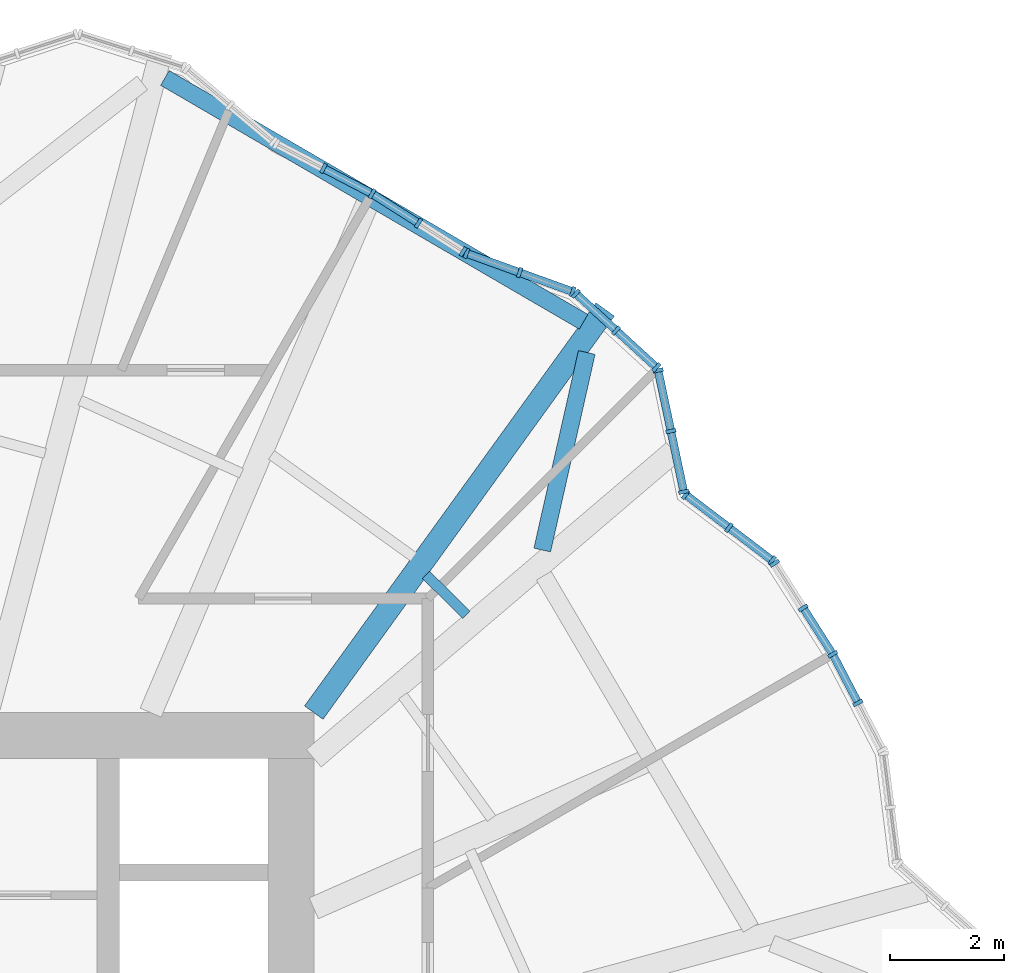
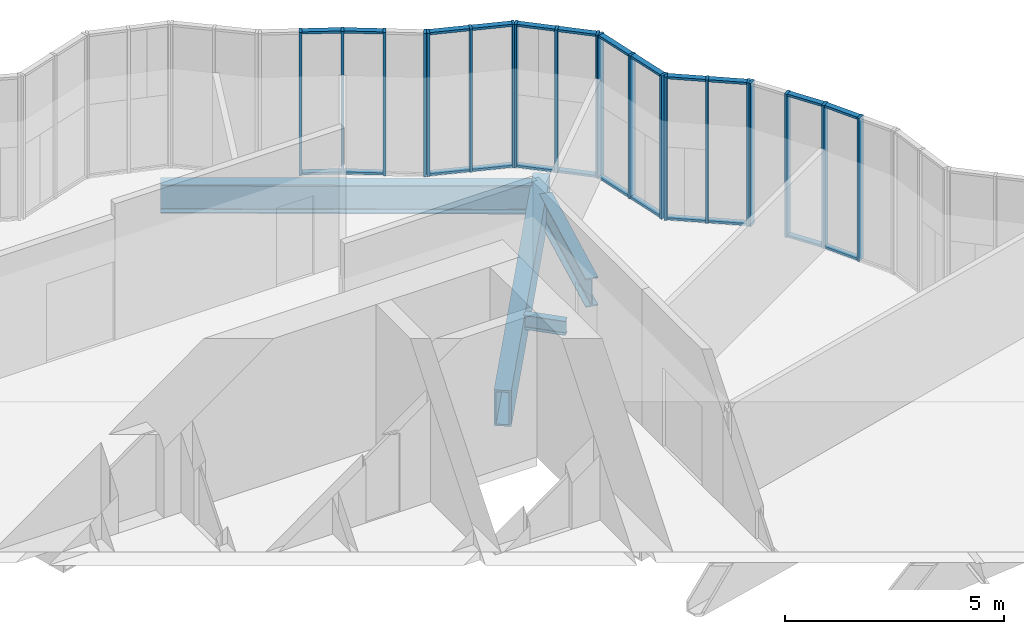
# One storey, part 9 of 23: 44 members, 4 beams, 8 elements without a shape of their own.
"""IFC4 building model written with IfcOpenShell, lengths in metres."""

from ifc_helpers import new_model, si_unit, direction, frame, origin, origin_2d, place, context, subcontext, project, spatial, rectangle, hollow_rectangle, i_section, extrude, material, material_profile, profile_set, type_object, element, aggregate, save


model = new_model("IFC4")

# Units and contexts
model_context = context("Model", 3, precision=1e-05, world=origin(), true_north=direction((0.0, 1.0)))
body_context = subcontext(model_context, "Body", "Model", "MODEL_VIEW")
ifc_project = project(units=[si_unit("LENGTHUNIT", "METRE"), si_unit("AREAUNIT", "SQUARE_METRE"), si_unit("VOLUMEUNIT", "CUBIC_METRE"), si_unit("PLANEANGLEUNIT", "RADIAN"), si_unit("MASSUNIT", "GRAM", prefix="KILO")], contexts=[model_context])

# Site, building, storey
site_placement = place(None, origin())
site = spatial("IfcSite", under=ifc_project, at=site_placement, CompositionType="ELEMENT")
building_placement = place(site_placement, origin())
building = spatial("IfcBuilding", under=site, at=building_placement, Name="Golbaran Civic Tower", CompositionType="ELEMENT")
storey_placement = place(building_placement, frame((0.0, 0.0, 33.0)))
storey = spatial("IfcBuildingStorey", under=building, at=storey_placement, Name="L07", CompositionType="ELEMENT", Elevation=33.0)

# Beams
ifc_material_1 = material(Name="Steel S355", Category="steel")
ifc_material_profile_1 = material_profile(ifc_material_1, i_section(OverallWidth=0.300048828125, OverallDepth=0.800048828125, WebThickness=0.017578125, FlangeThickness=0.032958984375, FilletRadius=0.030029296875, at=origin_2d()), Name="HEB 800")
ifc_profile_set_1 = profile_set([ifc_material_profile_1], Name="Steel S355")
beam_type_1 = type_object("IfcBeamType", Name="EDGE BEAM HEB 800", PredefinedType="BEAM", material=ifc_profile_set_1)
beam_1_placement = place(storey_placement, frame((14.0029296875, 12.848388671875, -0.60009765625), z_axis=(0.219887083462, 0.975525330541, 0.0), x_axis=(-0.975525330541, 0.219887083462, 0.0)))
element("IfcBeam", 1, at=beam_1_placement, inside=storey, type_object=beam_type_1, Name="Edge beam 41.74 L07", PredefinedType="BEAM", context=body_context, shape_type="SweptSolid", body=[
    extrude(i_section(OverallWidth=0.300048828125, OverallDepth=0.800048828125, WebThickness=0.017578125, FlangeThickness=0.032958984375, FilletRadius=0.030029296875, at=origin_2d()), origin(), (0.0, 0.0, 1.0), 3.548583984375),
])
beam_2_placement = place(storey_placement, frame((14.7275390625, 16.847412109375, -0.60009765625), z_axis=(-0.864129155703, 0.503270108653, 0.0), x_axis=(-0.503270108653, -0.864129155703, 0.0)))
element("IfcBeam", 2, at=beam_2_placement, inside=storey, type_object=beam_type_1, Name="Edge beam 48.64 L07", PredefinedType="BEAM", context=body_context, shape_type="SweptSolid", body=[
    extrude(i_section(OverallWidth=0.300048828125, OverallDepth=0.800048828125, WebThickness=0.017578125, FlangeThickness=0.032958984375, FilletRadius=0.030029296875, at=origin_2d()), origin(), (0.0, 0.0, 1.0), 8.489501953125),
])
ifc_material_profile_2 = material_profile(ifc_material_1, i_section(OverallWidth=0.179931640625, OverallDepth=0.39990234375, WebThickness=0.008544921875, FlangeThickness=0.013427734375, FilletRadius=0.02099609375, at=origin_2d()), Name="IPE 400")
ifc_profile_set_2 = profile_set([ifc_material_profile_2], Name="Steel S355")
beam_type_2 = type_object("IfcBeamType", Name="FLOOR INFILL BEAM IPE 400", PredefinedType="BEAM", material=ifc_profile_set_2)
beam_3_placement = place(storey_placement, frame((12.671630859375, 11.713623046875, -0.39990234375), z_axis=(-0.70943741161, 0.704768443539, 0.0), x_axis=(-0.704768443539, -0.70943741161, 0.0)))
element("IfcBeam", 3, at=beam_3_placement, inside=storey, type_object=beam_type_2, Name="Infill beam 45.19 L07", PredefinedType="BEAM", context=body_context, shape_type="SweptSolid", body=[
    extrude(i_section(OverallWidth=0.179931640625, OverallDepth=0.39990234375, WebThickness=0.008544921875, FlangeThickness=0.013427734375, FilletRadius=0.02099609375, at=origin_2d()), origin(), (0.0, 0.0, 1.0), 0.993408203125),
])

# Curtain wall, members
ifc_material_2 = material(Name="Aluminium and glass", Category="aluminium")
curtain_wall_type = type_object("IfcCurtainWallType", Name="INNER SKIN CURTAIN WALL", PredefinedType="NOTDEFINED", material=ifc_material_2)
curtain_wall_1_placement = place(storey_placement, origin())
curtain_wall_1 = element("IfcCurtainWall", 4, at=curtain_wall_1_placement, inside=storey, type_object=curtain_wall_type, Name="Inner skin L07 facet 6 CW1", ObjectType="INNER SKIN", PredefinedType="USERDEFINED")
ifc_material_3 = material(Name="Aluminium", Category="aluminium")
ifc_material_profile_3 = material_profile(ifc_material_3, rectangle(XDim=0.179931640625, YDim=0.06494140625, at=origin_2d()), Name="INNER SKIN CURTAIN WALL MULLION")
ifc_profile_set_3 = profile_set([ifc_material_profile_3], Name="Aluminium")
member_type_1 = type_object("IfcMemberType", Name="INNER SKIN CURTAIN WALL MULLION", PredefinedType="MULLION", material=ifc_profile_set_3)
member_1_placement = place(storey_placement, frame((19.53564453125, 10.169677734375, 0.0), z_axis=(0.0, 0.0, 1.0), x_axis=(-0.887010833146, -0.461748613297, 0.0)))
member_1 = element("IfcMember", 5, at=member_1_placement, type_object=member_type_1, Name="CW1 mullion 2", PredefinedType="MULLION", context=body_context, shape_type="SweptSolid", body=[
    extrude(rectangle(XDim=0.179931640625, YDim=0.06494140625, at=origin_2d()), origin(), (0.0, 0.0, 1.0), 4.0),
])
member_2_placement = place(storey_placement, frame((19.091552734375, 11.0224609375, 0.0), z_axis=(0.0, 0.0, 1.0), x_axis=(-0.866025403811, -0.499999999955, 0.0)))
member_2 = element("IfcMember", 6, at=member_2_placement, type_object=member_type_1, Name="CW1 mullion 3", PredefinedType="MULLION", context=body_context, shape_type="SweptSolid", body=[
    extrude(rectangle(XDim=0.179931640625, YDim=0.06494140625, at=origin_2d()), origin(), (0.0, 0.0, 1.0), 4.0),
])

curtain_wall_2_placement = place(storey_placement, origin())
curtain_wall_2 = element("IfcCurtainWall", 7, at=curtain_wall_2_placement, inside=storey, type_object=curtain_wall_type, Name="Inner skin L07 facet 7 CW1", ObjectType="INNER SKIN", PredefinedType="USERDEFINED")
member_3_placement = place(storey_placement, frame((18.574951171875, 11.83349609375, 0.0), z_axis=(0.0, 0.0, 1.0), x_axis=(-0.843391445775, -0.537299608406, 0.0)))
member_3 = element("IfcMember", 8, at=member_3_placement, type_object=member_type_1, Name="CW1 mullion 2", PredefinedType="MULLION", context=body_context, shape_type="SweptSolid", body=[
    extrude(rectangle(XDim=0.179931640625, YDim=0.06494140625, at=origin_2d()), origin(), (0.0, 0.0, 1.0), 4.0),
])
member_4_placement = place(storey_placement, frame((18.07568359375, 12.6171875, 0.0), z_axis=(0.0, 0.0, 1.0), x_axis=(-0.843391445775, -0.537299608406, 0.0)))
member_4 = element("IfcMember", 9, at=member_4_placement, type_object=member_type_1, Name="CW1 mullion 3", PredefinedType="MULLION", context=body_context, shape_type="SweptSolid", body=[
    extrude(rectangle(XDim=0.179931640625, YDim=0.06494140625, at=origin_2d()), origin(), (0.0, 0.0, 1.0), 4.0),
])

curtain_wall_3_placement = place(storey_placement, origin())
curtain_wall_3 = element("IfcCurtainWall", 10, at=curtain_wall_3_placement, inside=storey, type_object=curtain_wall_type, Name="Inner skin L07 facet 8 CW1", ObjectType="INNER SKIN", PredefinedType="USERDEFINED")
member_5_placement = place(storey_placement, frame((18.0322265625, 12.6640625, 0.0), z_axis=(0.0, 0.0, 1.0), x_axis=(-0.605153926324, -0.796108488496, 0.0)))
member_5 = element("IfcMember", 11, at=member_5_placement, type_object=member_type_1, Name="CW1 mullion 1", PredefinedType="MULLION", context=body_context, shape_type="SweptSolid", body=[
    extrude(rectangle(XDim=0.179931640625, YDim=0.06494140625, at=origin_2d()), origin(), (0.0, 0.0, 1.0), 4.0),
])
member_6_placement = place(storey_placement, frame((17.27392578125, 13.240478515625, 0.0), z_axis=(0.0, 0.0, 1.0), x_axis=(-0.605153926324, -0.796108488496, 0.0)))
member_6 = element("IfcMember", 12, at=member_6_placement, type_object=member_type_1, Name="CW1 mullion 2", PredefinedType="MULLION", context=body_context, shape_type="SweptSolid", body=[
    extrude(rectangle(XDim=0.179931640625, YDim=0.06494140625, at=origin_2d()), origin(), (0.0, 0.0, 1.0), 4.0),
])
member_7_placement = place(storey_placement, frame((16.515625, 13.81689453125, 0.0), z_axis=(0.0, 0.0, 1.0), x_axis=(-0.605153926324, -0.796108488496, 0.0)))
member_7 = element("IfcMember", 13, at=member_7_placement, type_object=member_type_1, Name="CW1 mullion 3", PredefinedType="MULLION", context=body_context, shape_type="SweptSolid", body=[
    extrude(rectangle(XDim=0.179931640625, YDim=0.06494140625, at=origin_2d()), origin(), (0.0, 0.0, 1.0), 4.0),
])

curtain_wall_4_placement = place(storey_placement, origin())
curtain_wall_4 = element("IfcCurtainWall", 14, at=curtain_wall_4_placement, inside=storey, type_object=curtain_wall_type, Name="Inner skin L07 facet 9 CW1", ObjectType="INNER SKIN", PredefinedType="USERDEFINED")
member_8_placement = place(storey_placement, frame((16.483154296875, 13.868408203125, 0.0), z_axis=(0.0, 0.0, 1.0), x_axis=(-0.978345790501, -0.206977086194, 0.0)))
member_8 = element("IfcMember", 15, at=member_8_placement, type_object=member_type_1, Name="CW1 mullion 1", PredefinedType="MULLION", context=body_context, shape_type="SweptSolid", body=[
    extrude(rectangle(XDim=0.179931640625, YDim=0.06494140625, at=origin_2d()), origin(), (0.0, 0.0, 1.0), 4.0),
])
member_9_placement = place(storey_placement, frame((16.25830078125, 14.931640625, 0.0), z_axis=(0.0, 0.0, 1.0), x_axis=(-0.978345790501, -0.206977086194, 0.0)))
member_9 = element("IfcMember", 16, at=member_9_placement, type_object=member_type_1, Name="CW1 mullion 2", PredefinedType="MULLION", context=body_context, shape_type="SweptSolid", body=[
    extrude(rectangle(XDim=0.179931640625, YDim=0.06494140625, at=origin_2d()), origin(), (0.0, 0.0, 1.0), 4.0),
])
member_10_placement = place(storey_placement, frame((16.033203125, 15.994873046875, 0.0), z_axis=(0.0, 0.0, 1.0), x_axis=(-0.978345790501, -0.206977086194, 0.0)))
member_10 = element("IfcMember", 17, at=member_10_placement, type_object=member_type_1, Name="CW1 mullion 3", PredefinedType="MULLION", context=body_context, shape_type="SweptSolid", body=[
    extrude(rectangle(XDim=0.179931640625, YDim=0.06494140625, at=origin_2d()), origin(), (0.0, 0.0, 1.0), 4.0),
])

curtain_wall_5_placement = place(storey_placement, origin())
curtain_wall_5 = element("IfcCurtainWall", 18, at=curtain_wall_5_placement, inside=storey, type_object=curtain_wall_type, Name="Inner skin L07 facet 10 CW1", ObjectType="INNER SKIN", PredefinedType="USERDEFINED")
member_11_placement = place(storey_placement, frame((16.002685546875, 16.048583984375, 0.0), z_axis=(0.0, 0.0, 1.0), x_axis=(-0.675590207436, -0.737277336975, 0.0)))
member_11 = element("IfcMember", 19, at=member_11_placement, type_object=member_type_1, Name="CW1 mullion 1", PredefinedType="MULLION", context=body_context, shape_type="SweptSolid", body=[
    extrude(rectangle(XDim=0.179931640625, YDim=0.06494140625, at=origin_2d()), origin(), (0.0, 0.0, 1.0), 4.0),
])
member_12_placement = place(storey_placement, frame((15.297607421875, 16.694580078125, 0.0), z_axis=(0.0, 0.0, 1.0), x_axis=(-0.675590207436, -0.737277336975, 0.0)))
member_12 = element("IfcMember", 20, at=member_12_placement, type_object=member_type_1, Name="CW1 mullion 2", PredefinedType="MULLION", context=body_context, shape_type="SweptSolid", body=[
    extrude(rectangle(XDim=0.179931640625, YDim=0.06494140625, at=origin_2d()), origin(), (0.0, 0.0, 1.0), 4.0),
])
member_13_placement = place(storey_placement, frame((14.5927734375, 17.34033203125, 0.0), z_axis=(0.0, 0.0, 1.0), x_axis=(-0.675590207436, -0.737277336975, 0.0)))
member_13 = element("IfcMember", 21, at=member_13_placement, type_object=member_type_1, Name="CW1 mullion 3", PredefinedType="MULLION", context=body_context, shape_type="SweptSolid", body=[
    extrude(rectangle(XDim=0.179931640625, YDim=0.06494140625, at=origin_2d()), origin(), (0.0, 0.0, 1.0), 4.0),
])

curtain_wall_6_placement = place(storey_placement, origin())
curtain_wall_6 = element("IfcCurtainWall", 22, at=curtain_wall_6_placement, inside=storey, type_object=curtain_wall_type, Name="Inner skin L07 facet 11 CW1", ObjectType="INNER SKIN", PredefinedType="USERDEFINED")
member_14_placement = place(storey_placement, frame((14.538330078125, 17.37353515625, 0.0), z_axis=(0.0, 0.0, 1.0), x_axis=(-0.340045420228, -0.940409013239, 0.0)))
member_14 = element("IfcMember", 23, at=member_14_placement, type_object=member_type_1, Name="CW1 mullion 1", PredefinedType="MULLION", context=body_context, shape_type="SweptSolid", body=[
    extrude(rectangle(XDim=0.179931640625, YDim=0.06494140625, at=origin_2d()), origin(), (0.0, 0.0, 1.0), 4.0),
])
member_15_placement = place(storey_placement, frame((13.606689453125, 17.710205078125, 0.0), z_axis=(0.0, 0.0, 1.0), x_axis=(-0.340045420228, -0.940409013239, 0.0)))
member_15 = element("IfcMember", 24, at=member_15_placement, type_object=member_type_1, Name="CW1 mullion 2", PredefinedType="MULLION", context=body_context, shape_type="SweptSolid", body=[
    extrude(rectangle(XDim=0.179931640625, YDim=0.06494140625, at=origin_2d()), origin(), (0.0, 0.0, 1.0), 4.0),
])
member_16_placement = place(storey_placement, frame((12.675048828125, 18.047119140625, 0.0), z_axis=(0.0, 0.0, 1.0), x_axis=(-0.340045420228, -0.940409013239, 0.0)))
member_16 = element("IfcMember", 25, at=member_16_placement, type_object=member_type_1, Name="CW1 mullion 3", PredefinedType="MULLION", context=body_context, shape_type="SweptSolid", body=[
    extrude(rectangle(XDim=0.179931640625, YDim=0.06494140625, at=origin_2d()), origin(), (0.0, 0.0, 1.0), 4.0),
])

curtain_wall_7_placement = place(storey_placement, origin())
curtain_wall_7 = element("IfcCurtainWall", 26, at=curtain_wall_7_placement, inside=storey, type_object=curtain_wall_type, Name="Inner skin L07 facet 12 CW1", ObjectType="INNER SKIN", PredefinedType="USERDEFINED")
member_17_placement = place(storey_placement, frame((12.6171875, 18.07568359375, 0.0), z_axis=(0.0, 0.0, 1.0), x_axis=(-0.537299608406, -0.843391445775, 0.0)))
member_17 = element("IfcMember", 27, at=member_17_placement, type_object=member_type_1, Name="CW1 mullion 1", PredefinedType="MULLION", context=body_context, shape_type="SweptSolid", body=[
    extrude(rectangle(XDim=0.179931640625, YDim=0.06494140625, at=origin_2d()), origin(), (0.0, 0.0, 1.0), 4.0),
])
member_18_placement = place(storey_placement, frame((11.83349609375, 18.574951171875, 0.0), z_axis=(0.0, 0.0, 1.0), x_axis=(-0.537299608406, -0.843391445775, 0.0)))
member_18 = element("IfcMember", 28, at=member_18_placement, type_object=member_type_1, Name="CW1 mullion 2", PredefinedType="MULLION", context=body_context, shape_type="SweptSolid", body=[
    extrude(rectangle(XDim=0.179931640625, YDim=0.06494140625, at=origin_2d()), origin(), (0.0, 0.0, 1.0), 4.0),
])
member_19_placement = place(storey_placement, frame((11.0224609375, 19.091552734375, 0.0), z_axis=(0.0, 0.0, 1.0), x_axis=(-0.500000000121, -0.866025403715, 0.0)))
member_19 = element("IfcMember", 29, at=member_19_placement, type_object=member_type_1, Name="CW1 mullion 3", PredefinedType="MULLION", context=body_context, shape_type="SweptSolid", body=[
    extrude(rectangle(XDim=0.179931640625, YDim=0.06494140625, at=origin_2d()), origin(), (0.0, 0.0, 1.0), 4.0),
])

# Curtain wall, member
curtain_wall_8_placement = place(storey_placement, origin())
curtain_wall_8 = element("IfcCurtainWall", 30, at=curtain_wall_8_placement, inside=storey, type_object=curtain_wall_type, Name="Inner skin L07 facet 13 CW1", ObjectType="INNER SKIN", PredefinedType="USERDEFINED")
member_20_placement = place(storey_placement, frame((10.169677734375, 19.53564453125, 0.0), z_axis=(0.0, 0.0, 1.0), x_axis=(-0.461748613297, -0.887010833146, 0.0)))
member_20 = element("IfcMember", 31, at=member_20_placement, type_object=member_type_1, Name="CW1 mullion 2", PredefinedType="MULLION", context=body_context, shape_type="SweptSolid", body=[
    extrude(rectangle(XDim=0.179931640625, YDim=0.06494140625, at=origin_2d()), origin(), (0.0, 0.0, 1.0), 4.0),
])

# Member
ifc_material_profile_4 = material_profile(ifc_material_3, rectangle(XDim=0.139892578125, YDim=0.06494140625, at=origin_2d()), Name="INNER SKIN CURTAIN WALL TRANSOM")
ifc_profile_set_4 = profile_set([ifc_material_profile_4], Name="Aluminium")
member_type_2 = type_object("IfcMemberType", Name="INNER SKIN CURTAIN WALL TRANSOM", PredefinedType="USERDEFINED", material=ifc_profile_set_4)
member_21_placement = place(storey_placement, frame((19.5205078125, 10.198486328125, 0.032470703125), z_axis=(-0.461858549969, 0.886953595077, 0.0), x_axis=(-0.886953595077, -0.461858549969, 0.0)))
member_21 = element("IfcMember", 32, at=member_21_placement, type_object=member_type_2, Name="CW1 transom 2.1", ObjectType="TRANSOM", PredefinedType="USERDEFINED", context=body_context, shape_type="SweptSolid", body=[
    extrude(rectangle(XDim=0.139892578125, YDim=0.06494140625, at=origin_2d()), origin(), (0.0, 0.0, 1.0), 0.896484375),
])

member_22_placement = place(storey_placement, frame((19.5205078125, 10.198486328125, 3.967529296875), z_axis=(-0.461858549969, 0.886953595077, 0.0), x_axis=(-0.886953595077, -0.461858549969, 0.0)))
member_22 = element("IfcMember", 33, at=member_22_placement, type_object=member_type_2, Name="CW1 transom 2.2", ObjectType="TRANSOM", PredefinedType="USERDEFINED", context=body_context, shape_type="SweptSolid", body=[
    extrude(rectangle(XDim=0.139892578125, YDim=0.06494140625, at=origin_2d()), origin(), (0.0, 0.0, 1.0), 0.896484375),
])

aggregate(curtain_wall_1, [member_1, member_2, member_21, member_22])

member_23_placement = place(storey_placement, frame((19.073974609375, 11.0498046875, 0.032470703125), z_axis=(-0.537174947693, 0.843470850457, 0.0), x_axis=(-0.843470850457, -0.537174947693, 0.0)))
member_23 = element("IfcMember", 34, at=member_23_placement, type_object=member_type_2, Name="CW1 transom 1.1", ObjectType="TRANSOM", PredefinedType="USERDEFINED", context=body_context, shape_type="SweptSolid", body=[
    extrude(rectangle(XDim=0.139892578125, YDim=0.06494140625, at=origin_2d()), origin(), (0.0, 0.0, 1.0), 0.896728515625),
])

member_24_placement = place(storey_placement, frame((19.073974609375, 11.0498046875, 3.967529296875), z_axis=(-0.537174947693, 0.843470850457, 0.0), x_axis=(-0.843470850457, -0.537174947693, 0.0)))
member_24 = element("IfcMember", 35, at=member_24_placement, type_object=member_type_2, Name="CW1 transom 1.2", ObjectType="TRANSOM", PredefinedType="USERDEFINED", context=body_context, shape_type="SweptSolid", body=[
    extrude(rectangle(XDim=0.139892578125, YDim=0.06494140625, at=origin_2d()), origin(), (0.0, 0.0, 1.0), 0.896728515625),
])

aggregate(curtain_wall_2, [member_3, member_4, member_23, member_24])

member_25_placement = place(storey_placement, frame((18.00634765625, 12.683837890625, 0.032470703125), z_axis=(-0.79608797731, 0.605180908805, 0.0), x_axis=(-0.605180908805, -0.79608797731, 0.0)))
member_25 = element("IfcMember", 36, at=member_25_placement, type_object=member_type_2, Name="CW1 transom 1.1", ObjectType="TRANSOM", PredefinedType="USERDEFINED", context=body_context, shape_type="SweptSolid", body=[
    extrude(rectangle(XDim=0.139892578125, YDim=0.06494140625, at=origin_2d()), origin(), (0.0, 0.0, 1.0), 0.887451171875),
])

member_26_placement = place(storey_placement, frame((18.00634765625, 12.683837890625, 3.967529296875), z_axis=(-0.79608797731, 0.605180908805, 0.0), x_axis=(-0.605180908805, -0.79608797731, 0.0)))
member_26 = element("IfcMember", 37, at=member_26_placement, type_object=member_type_2, Name="CW1 transom 1.2", ObjectType="TRANSOM", PredefinedType="USERDEFINED", context=body_context, shape_type="SweptSolid", body=[
    extrude(rectangle(XDim=0.139892578125, YDim=0.06494140625, at=origin_2d()), origin(), (0.0, 0.0, 1.0), 0.887451171875),
])

member_27_placement = place(storey_placement, frame((17.248046875, 13.26025390625, 0.032470703125), z_axis=(-0.79608797731, 0.605180908805, 0.0), x_axis=(-0.605180908805, -0.79608797731, 0.0)))
member_27 = element("IfcMember", 38, at=member_27_placement, type_object=member_type_2, Name="CW1 transom 2.1", ObjectType="TRANSOM", PredefinedType="USERDEFINED", context=body_context, shape_type="SweptSolid", body=[
    extrude(rectangle(XDim=0.139892578125, YDim=0.06494140625, at=origin_2d()), origin(), (0.0, 0.0, 1.0), 0.887451171875),
])

member_28_placement = place(storey_placement, frame((17.248046875, 13.26025390625, 3.967529296875), z_axis=(-0.79608797731, 0.605180908805, 0.0), x_axis=(-0.605180908805, -0.79608797731, 0.0)))
member_28 = element("IfcMember", 39, at=member_28_placement, type_object=member_type_2, Name="CW1 transom 2.2", ObjectType="TRANSOM", PredefinedType="USERDEFINED", context=body_context, shape_type="SweptSolid", body=[
    extrude(rectangle(XDim=0.139892578125, YDim=0.06494140625, at=origin_2d()), origin(), (0.0, 0.0, 1.0), 0.887451171875),
])

aggregate(curtain_wall_3, [member_5, member_6, member_7, member_25, member_26, member_27, member_28])

member_29_placement = place(storey_placement, frame((16.476318359375, 13.900146484375, 0.032470703125), z_axis=(-0.20690141995, 0.978361795259, 0.0), x_axis=(-0.978361795259, -0.20690141995, 0.0)))
member_29 = element("IfcMember", 40, at=member_29_placement, type_object=member_type_2, Name="CW1 transom 1.1", ObjectType="TRANSOM", PredefinedType="USERDEFINED", context=body_context, shape_type="SweptSolid", body=[
    extrude(rectangle(XDim=0.139892578125, YDim=0.06494140625, at=origin_2d()), origin(), (0.0, 0.0, 1.0), 1.02197265625),
])

member_30_placement = place(storey_placement, frame((16.476318359375, 13.900146484375, 3.967529296875), z_axis=(-0.20690141995, 0.978361795259, 0.0), x_axis=(-0.978361795259, -0.20690141995, 0.0)))
member_30 = element("IfcMember", 41, at=member_30_placement, type_object=member_type_2, Name="CW1 transom 1.2", ObjectType="TRANSOM", PredefinedType="USERDEFINED", context=body_context, shape_type="SweptSolid", body=[
    extrude(rectangle(XDim=0.139892578125, YDim=0.06494140625, at=origin_2d()), origin(), (0.0, 0.0, 1.0), 1.02197265625),
])

member_31_placement = place(storey_placement, frame((16.25146484375, 14.96337890625, 0.032470703125), z_axis=(-0.206949793481, 0.978351564101, 0.0), x_axis=(-0.978351564101, -0.206949793481, 0.0)))
member_31 = element("IfcMember", 42, at=member_31_placement, type_object=member_type_2, Name="CW1 transom 2.1", ObjectType="TRANSOM", PredefinedType="USERDEFINED", context=body_context, shape_type="SweptSolid", body=[
    extrude(rectangle(XDim=0.139892578125, YDim=0.06494140625, at=origin_2d()), origin(), (0.0, 0.0, 1.0), 1.021728515625),
])

member_32_placement = place(storey_placement, frame((16.25146484375, 14.96337890625, 3.967529296875), z_axis=(-0.206949793481, 0.978351564101, 0.0), x_axis=(-0.978351564101, -0.206949793481, 0.0)))
member_32 = element("IfcMember", 43, at=member_32_placement, type_object=member_type_2, Name="CW1 transom 2.2", ObjectType="TRANSOM", PredefinedType="USERDEFINED", context=body_context, shape_type="SweptSolid", body=[
    extrude(rectangle(XDim=0.139892578125, YDim=0.06494140625, at=origin_2d()), origin(), (0.0, 0.0, 1.0), 1.021728515625),
])

aggregate(curtain_wall_4, [member_8, member_9, member_10, member_29, member_30, member_31, member_32])

member_33_placement = place(storey_placement, frame((15.978759765625, 16.070556640625, 0.032470703125), z_axis=(-0.737381500306, 0.675476515511, 0.0), x_axis=(-0.675476515511, -0.737381500306, 0.0)))
member_33 = element("IfcMember", 44, at=member_33_placement, type_object=member_type_2, Name="CW1 transom 1.1", ObjectType="TRANSOM", PredefinedType="USERDEFINED", context=body_context, shape_type="SweptSolid", body=[
    extrude(rectangle(XDim=0.139892578125, YDim=0.06494140625, at=origin_2d()), origin(), (0.0, 0.0, 1.0), 0.891357421875),
])

member_34_placement = place(storey_placement, frame((15.978759765625, 16.070556640625, 3.967529296875), z_axis=(-0.737381500306, 0.675476515511, 0.0), x_axis=(-0.675476515511, -0.737381500306, 0.0)))
member_34 = element("IfcMember", 45, at=member_34_placement, type_object=member_type_2, Name="CW1 transom 1.2", ObjectType="TRANSOM", PredefinedType="USERDEFINED", context=body_context, shape_type="SweptSolid", body=[
    extrude(rectangle(XDim=0.139892578125, YDim=0.06494140625, at=origin_2d()), origin(), (0.0, 0.0, 1.0), 0.891357421875),
])

member_35_placement = place(storey_placement, frame((15.273681640625, 16.716552734375, 0.032470703125), z_axis=(-0.737256483247, 0.675612964581, 0.0), x_axis=(-0.675612964581, -0.737256483247, 0.0)))
member_35 = element("IfcMember", 46, at=member_35_placement, type_object=member_type_2, Name="CW1 transom 2.1", ObjectType="TRANSOM", PredefinedType="USERDEFINED", context=body_context, shape_type="SweptSolid", body=[
    extrude(rectangle(XDim=0.139892578125, YDim=0.06494140625, at=origin_2d()), origin(), (0.0, 0.0, 1.0), 0.89111328125),
])

member_36_placement = place(storey_placement, frame((15.273681640625, 16.716552734375, 3.967529296875), z_axis=(-0.737256483247, 0.675612964581, 0.0), x_axis=(-0.675612964581, -0.737256483247, 0.0)))
member_36 = element("IfcMember", 47, at=member_36_placement, type_object=member_type_2, Name="CW1 transom 2.2", ObjectType="TRANSOM", PredefinedType="USERDEFINED", context=body_context, shape_type="SweptSolid", body=[
    extrude(rectangle(XDim=0.139892578125, YDim=0.06494140625, at=origin_2d()), origin(), (0.0, 0.0, 1.0), 0.89111328125),
])

aggregate(curtain_wall_5, [member_11, member_12, member_13, member_33, member_34, member_35, member_36])

member_37_placement = place(storey_placement, frame((14.507568359375, 17.384521484375, 0.032470703125), z_axis=(-0.940415714174, 0.340026887958, 0.0), x_axis=(-0.340026887958, -0.940415714174, 0.0)))
member_37 = element("IfcMember", 48, at=member_37_placement, type_object=member_type_2, Name="CW1 transom 1.1", ObjectType="TRANSOM", PredefinedType="USERDEFINED", context=body_context, shape_type="SweptSolid", body=[
    extrude(rectangle(XDim=0.139892578125, YDim=0.06494140625, at=origin_2d()), origin(), (0.0, 0.0, 1.0), 0.925537109375),
])

member_38_placement = place(storey_placement, frame((14.507568359375, 17.384521484375, 3.967529296875), z_axis=(-0.940415714174, 0.340026887958, 0.0), x_axis=(-0.340026887958, -0.940415714174, 0.0)))
member_38 = element("IfcMember", 49, at=member_38_placement, type_object=member_type_2, Name="CW1 transom 1.2", ObjectType="TRANSOM", PredefinedType="USERDEFINED", context=body_context, shape_type="SweptSolid", body=[
    extrude(rectangle(XDim=0.139892578125, YDim=0.06494140625, at=origin_2d()), origin(), (0.0, 0.0, 1.0), 0.925537109375),
])

member_39_placement = place(storey_placement, frame((13.576171875, 17.721435546875, 0.032470703125), z_axis=(-0.940446201918, 0.339942555881, 0.0), x_axis=(-0.339942555881, -0.940446201918, 0.0)))
member_39 = element("IfcMember", 50, at=member_39_placement, type_object=member_type_2, Name="CW1 transom 2.1", ObjectType="TRANSOM", PredefinedType="USERDEFINED", context=body_context, shape_type="SweptSolid", body=[
    extrude(rectangle(XDim=0.139892578125, YDim=0.06494140625, at=origin_2d()), origin(), (0.0, 0.0, 1.0), 0.92578125),
])

member_40_placement = place(storey_placement, frame((13.576171875, 17.721435546875, 3.967529296875), z_axis=(-0.940446201918, 0.339942555881, 0.0), x_axis=(-0.339942555881, -0.940446201918, 0.0)))
member_40 = element("IfcMember", 51, at=member_40_placement, type_object=member_type_2, Name="CW1 transom 2.2", ObjectType="TRANSOM", PredefinedType="USERDEFINED", context=body_context, shape_type="SweptSolid", body=[
    extrude(rectangle(XDim=0.139892578125, YDim=0.06494140625, at=origin_2d()), origin(), (0.0, 0.0, 1.0), 0.92578125),
])

aggregate(curtain_wall_6, [member_14, member_15, member_16, member_37, member_38, member_39, member_40])

member_41_placement = place(storey_placement, frame((11.80615234375, 18.59228515625, 0.032470703125), z_axis=(-0.843470850457, 0.537174947693, 0.0), x_axis=(-0.537174947693, -0.843470850457, 0.0)))
member_41 = element("IfcMember", 52, at=member_41_placement, type_object=member_type_2, Name="CW1 transom 2.1", ObjectType="TRANSOM", PredefinedType="USERDEFINED", context=body_context, shape_type="SweptSolid", body=[
    extrude(rectangle(XDim=0.139892578125, YDim=0.06494140625, at=origin_2d()), origin(), (0.0, 0.0, 1.0), 0.896728515625),
])

member_42_placement = place(storey_placement, frame((11.80615234375, 18.59228515625, 3.967529296875), z_axis=(-0.843470850457, 0.537174947693, 0.0), x_axis=(-0.537174947693, -0.843470850457, 0.0)))
member_42 = element("IfcMember", 53, at=member_42_placement, type_object=member_type_2, Name="CW1 transom 2.2", ObjectType="TRANSOM", PredefinedType="USERDEFINED", context=body_context, shape_type="SweptSolid", body=[
    extrude(rectangle(XDim=0.139892578125, YDim=0.06494140625, at=origin_2d()), origin(), (0.0, 0.0, 1.0), 0.896728515625),
])

aggregate(curtain_wall_7, [member_17, member_18, member_19, member_41, member_42])

member_43_placement = place(storey_placement, frame((10.99365234375, 19.1064453125, 0.032470703125), z_axis=(-0.886953595077, 0.461858549969, 0.0), x_axis=(-0.461858549969, -0.886953595077, 0.0)))
member_43 = element("IfcMember", 54, at=member_43_placement, type_object=member_type_2, Name="CW1 transom 1.1", ObjectType="TRANSOM", PredefinedType="USERDEFINED", context=body_context, shape_type="SweptSolid", body=[
    extrude(rectangle(XDim=0.139892578125, YDim=0.06494140625, at=origin_2d()), origin(), (0.0, 0.0, 1.0), 0.896484375),
])

member_44_placement = place(storey_placement, frame((10.99365234375, 19.1064453125, 3.967529296875), z_axis=(-0.886953595077, 0.461858549969, 0.0), x_axis=(-0.461858549969, -0.886953595077, 0.0)))
member_44 = element("IfcMember", 55, at=member_44_placement, type_object=member_type_2, Name="CW1 transom 1.2", ObjectType="TRANSOM", PredefinedType="USERDEFINED", context=body_context, shape_type="SweptSolid", body=[
    extrude(rectangle(XDim=0.139892578125, YDim=0.06494140625, at=origin_2d()), origin(), (0.0, 0.0, 1.0), 0.896484375),
])

aggregate(curtain_wall_8, [member_20, member_43, member_44])

# Beam
ifc_material_profile_5 = material_profile(ifc_material_1, hollow_rectangle(XDim=0.39990234375, YDim=1.0, WallThickness=0.050048828125, at=origin_2d()), Name="BOX 1000x400x50")
ifc_profile_set_5 = profile_set([ifc_material_profile_5], Name="Steel S355")
beam_type_3 = type_object("IfcBeamType", Name="RADIAL FLOOR BEAM BOX 1000x400x50", PredefinedType="BEAM", material=ifc_profile_set_5)
beam_4_placement = place(storey_placement, frame((10.0, 10.0, -0.7099609375), z_axis=(0.585812641951, 0.810446511826, 0.0), x_axis=(-0.810446511826, 0.585812641951, 0.0)))
element("IfcBeam", 56, at=beam_4_placement, inside=storey, type_object=beam_type_3, Name="Radial beam 48.64 L07", PredefinedType="BEAM", context=body_context, shape_type="SweptSolid", body=[
    extrude(hollow_rectangle(XDim=0.39990234375, YDim=1.0, WallThickness=0.050048828125, at=origin_2d()), origin(), (0.0, 0.0, 1.0), 8.716552734375),
])

save(model, "model.ifc")
